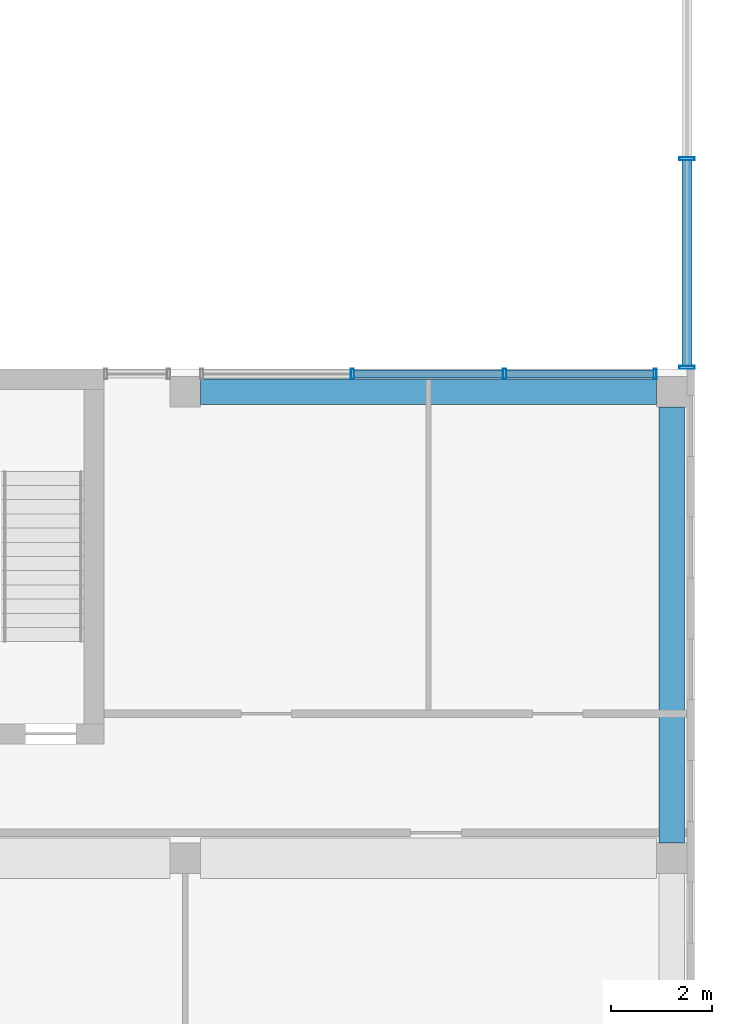
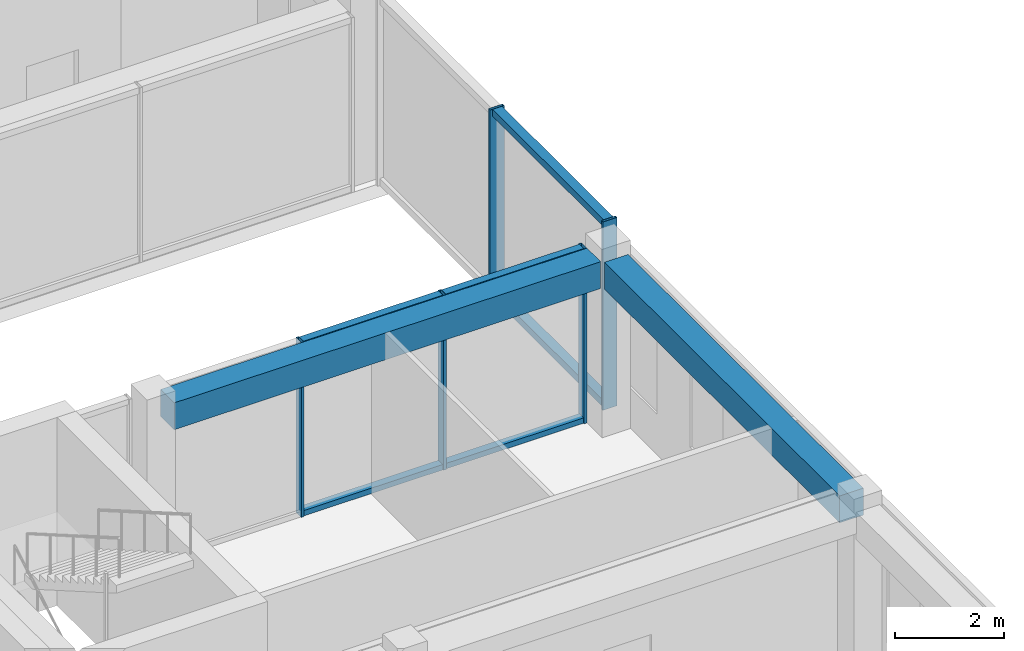
# One storey, part 12 of 28: 11 members, 2 beams, 2 elements without a shape of their own.
"""IFC4 building model written with IfcOpenShell, lengths in metres."""

from ifc_helpers import new_model, si_unit, direction, frame, origin, origin_2d, place, context, subcontext, project, spatial, rectangle, hollow_rectangle, extrude, material, layer, layer_set, material_profile, profile_set, type_object, element, aggregate, save


model = new_model("IFC4")

# Units and contexts
model_context = context("Model", 3, precision=1e-05, world=origin(), true_north=direction((0.0, 1.0)))
body_context = subcontext(model_context, "Body", "Model", "MODEL_VIEW")
ifc_project = project(units=[si_unit("LENGTHUNIT", "METRE"), si_unit("AREAUNIT", "SQUARE_METRE"), si_unit("VOLUMEUNIT", "CUBIC_METRE"), si_unit("PLANEANGLEUNIT", "RADIAN"), si_unit("MASSUNIT", "GRAM", prefix="KILO")], contexts=[model_context])

# Site, building, storey
site_placement = place(None, origin())
site = spatial("IfcSite", under=ifc_project, at=site_placement, CompositionType="ELEMENT")
building_placement = place(site_placement, origin())
building = spatial("IfcBuilding", under=site, at=building_placement, Name="Nzadi Deep Aquarium and Research Tower", CompositionType="ELEMENT")
storey_placement = place(building_placement, frame((0.0, 0.0, 73.89990234375)))
storey = spatial("IfcBuildingStorey", under=building, at=storey_placement, Name="L15", CompositionType="ELEMENT", Elevation=73.89990234375)

# Curtain wall, members
ifc_material_1 = material(Name="Aluminium unitised frame", Category="aluminium")
ifc_layer_1 = layer(ifc_material_1, 0.199951171875)
ifc_layer_set_1 = layer_set([ifc_layer_1], Name="Aluminium unitised frame")
curtain_wall_type_1 = type_object("IfcCurtainWallType", Name="Curtain wall Unitised 200", PredefinedType="NOTDEFINED", material=ifc_layer_set_1)
curtain_wall_1_placement = place(storey_placement, origin())
curtain_wall_1 = element("IfcCurtainWall", 1, at=curtain_wall_1_placement, inside=storey, type_object=curtain_wall_type_1, Name="Unitised curtain wall blade A north L15", PredefinedType="NOTDEFINED")
ifc_material_2 = material(Name="Aluminium unitised frame", Category="aluminium")
ifc_material_profile_1 = material_profile(ifc_material_2, hollow_rectangle(XDim=0.199951171875, YDim=0.06005859375, WallThickness=0.0048828125, at=origin_2d()))
ifc_profile_set_1 = profile_set([ifc_material_profile_1], Name="Aluminium unitised frame")
member_type_1 = type_object("IfcMemberType", Name="Mullion 60x200 Unitised", PredefinedType="MULLION", material=ifc_profile_set_1)
member_1_placement = place(storey_placement, frame((32.10009765625, 18.75, 0.0), z_axis=(0.0, 0.0, 1.0), x_axis=(0.0, 1.0, 0.0)))
member_1 = element("IfcMember", 2, at=member_1_placement, type_object=member_type_1, Name="CW074 mullion 2", PredefinedType="MULLION", context=body_context, shape_type="SweptSolid", body=[
    extrude(hollow_rectangle(XDim=0.199951171875, YDim=0.06005859375, WallThickness=0.0048828125, at=origin_2d()), origin(), (0.0, 0.0, 1.0), 3.900146484375),
])
member_2_placement = place(storey_placement, frame((35.10009765625, 18.75, 0.0), z_axis=(0.0, 0.0, 1.0), x_axis=(0.0, 1.0, 0.0)))
member_2 = element("IfcMember", 3, at=member_2_placement, type_object=member_type_1, Name="CW074 mullion 3", PredefinedType="MULLION", context=body_context, shape_type="SweptSolid", body=[
    extrude(hollow_rectangle(XDim=0.199951171875, YDim=0.06005859375, WallThickness=0.0048828125, at=origin_2d()), origin(), (0.0, 0.0, 1.0), 3.900146484375),
])
member_3_placement = place(storey_placement, frame((38.070068359375, 18.75, 0.0), z_axis=(0.0, 0.0, 1.0), x_axis=(0.0, 1.0, 0.0)))
member_3 = element("IfcMember", 4, at=member_3_placement, type_object=member_type_1, Name="CW074 mullion 4", PredefinedType="MULLION", context=body_context, shape_type="SweptSolid", body=[
    extrude(hollow_rectangle(XDim=0.199951171875, YDim=0.06005859375, WallThickness=0.0048828125, at=origin_2d()), origin(), (0.0, 0.0, 1.0), 3.900146484375),
])

ifc_material_3 = material(Name="Aluminium unitised frame wind post", Category="aluminium")
ifc_layer_2 = layer(ifc_material_3, 0.300048828125)
ifc_layer_set_2 = layer_set([ifc_layer_2], Name="Aluminium unitised frame wind post")
curtain_wall_type_2 = type_object("IfcCurtainWallType", Name="Curtain wall Slot End 300", PredefinedType="NOTDEFINED", material=ifc_layer_set_2)
curtain_wall_2_placement = place(storey_placement, origin())
curtain_wall_2 = element("IfcCurtainWall", 5, at=curtain_wall_2_placement, inside=storey, type_object=curtain_wall_type_2, Name="Glazed slot end east L15", PredefinedType="NOTDEFINED")
ifc_material_4 = material(Name="Aluminium unitised frame wind post", Category="aluminium")
ifc_material_profile_2 = material_profile(ifc_material_4, hollow_rectangle(XDim=0.300048828125, YDim=0.06005859375, WallThickness=0.0048828125, at=origin_2d()))
ifc_profile_set_2 = profile_set([ifc_material_profile_2], Name="Aluminium unitised frame wind post")
member_type_2 = type_object("IfcMemberType", Name="Mullion 60x300 Slot End", PredefinedType="MULLION", material=ifc_profile_set_2)
member_4_placement = place(storey_placement, frame((38.699951171875, 18.8798828125, 0.0), z_axis=(0.0, 0.0, 1.0), x_axis=(-1.0, 0.0, 0.0)))
member_4 = element("IfcMember", 6, at=member_4_placement, type_object=member_type_2, Name="CW222 mullion 1", PredefinedType="MULLION", context=body_context, shape_type="SweptSolid", body=[
    extrude(hollow_rectangle(XDim=0.300048828125, YDim=0.06005859375, WallThickness=0.0048828125, at=origin_2d()), origin(), (0.0, 0.0, 1.0), 4.2001953125),
])
member_5_placement = place(storey_placement, frame((38.699951171875, 23.0, 0.0), z_axis=(0.0, 0.0, 1.0), x_axis=(-1.0, 0.0, 0.0)))
member_5 = element("IfcMember", 7, at=member_5_placement, type_object=member_type_2, Name="CW222 mullion 2", PredefinedType="MULLION", context=body_context, shape_type="SweptSolid", body=[
    extrude(hollow_rectangle(XDim=0.300048828125, YDim=0.06005859375, WallThickness=0.0048828125, at=origin_2d()), origin(), (0.0, 0.0, 1.0), 4.2001953125),
])

# Beams
ifc_material_5 = material(Name="Concrete C35/45", Category="concrete")
ifc_material_profile_3 = material_profile(ifc_material_5, rectangle(XDim=0.5, YDim=0.60009765625, at=origin_2d()))
ifc_profile_set_3 = profile_set([ifc_material_profile_3], Name="Concrete C35/45")
beam_type = type_object("IfcBeamType", Name="RC 500x600", PredefinedType="BEAM", material=ifc_profile_set_3)
beam_1_placement = place(storey_placement, frame((29.10009765625, 18.39990234375, 3.60009765625), z_axis=(1.0, 0.0, 0.0), x_axis=(0.0, 1.0, 0.0)))
element("IfcBeam", 8, at=beam_1_placement, inside=storey, type_object=beam_type, Name="B-Z1-L15-L3-4", PredefinedType="BEAM", context=body_context, shape_type="SweptSolid", body=[
    extrude(rectangle(XDim=0.5, YDim=0.60009765625, at=origin_2d()), origin(), (0.0, 0.0, 1.0), 9.0),
])
beam_2_placement = place(storey_placement, frame((38.39990234375, 9.5, 3.60009765625), z_axis=(0.0, 1.0, 0.0), x_axis=(-1.0, 0.0, 0.0)))
element("IfcBeam", 9, at=beam_2_placement, inside=storey, type_object=beam_type, Name="B-Z1-L15-CE-2-1", PredefinedType="BEAM", context=body_context, shape_type="SweptSolid", body=[
    extrude(rectangle(XDim=0.5, YDim=0.60009765625, at=origin_2d()), origin(), (0.0, 0.0, 1.0), 8.60009765625),
])

# Member
ifc_material_6 = material(Name="Aluminium unitised frame", Category="aluminium")
ifc_material_profile_4 = material_profile(ifc_material_6, hollow_rectangle(XDim=0.159912109375, YDim=0.1201171875, WallThickness=0.0048828125, at=origin_2d()))
ifc_profile_set_4 = profile_set([ifc_material_profile_4], Name="Aluminium unitised frame")
member_type_3 = type_object("IfcMemberType", Name="Transom 120x160 Unitised", PredefinedType="MULLION", material=ifc_profile_set_4)
member_6_placement = place(storey_placement, frame((32.1298828125, 18.75, 0.06005859375), z_axis=(1.0, 0.0, 0.0), x_axis=(0.0, 1.0, 0.0)))
member_6 = element("IfcMember", 10, at=member_6_placement, type_object=member_type_3, Name="CW074 transom 2.1", PredefinedType="MULLION", context=body_context, shape_type="SweptSolid", body=[
    extrude(hollow_rectangle(XDim=0.159912109375, YDim=0.1201171875, WallThickness=0.0048828125, at=origin_2d()), origin(), (0.0, 0.0, 1.0), 2.940185546875),
])

member_7_placement = place(storey_placement, frame((32.1298828125, 18.75, 3.840087890625), z_axis=(1.0, 0.0, 0.0), x_axis=(0.0, 1.0, 0.0)))
member_7 = element("IfcMember", 11, at=member_7_placement, type_object=member_type_3, Name="CW074 transom 2.2", PredefinedType="MULLION", context=body_context, shape_type="SweptSolid", body=[
    extrude(hollow_rectangle(XDim=0.159912109375, YDim=0.1201171875, WallThickness=0.0048828125, at=origin_2d()), origin(), (0.0, 0.0, 1.0), 2.940185546875),
])

member_8_placement = place(storey_placement, frame((35.1298828125, 18.75, 0.06005859375), z_axis=(1.0, 0.0, 0.0), x_axis=(0.0, 1.0, 0.0)))
member_8 = element("IfcMember", 12, at=member_8_placement, type_object=member_type_3, Name="CW074 transom 3.1", PredefinedType="MULLION", context=body_context, shape_type="SweptSolid", body=[
    extrude(hollow_rectangle(XDim=0.159912109375, YDim=0.1201171875, WallThickness=0.0048828125, at=origin_2d()), origin(), (0.0, 0.0, 1.0), 2.91015625),
])

member_9_placement = place(storey_placement, frame((35.1298828125, 18.75, 3.840087890625), z_axis=(1.0, 0.0, 0.0), x_axis=(0.0, 1.0, 0.0)))
member_9 = element("IfcMember", 13, at=member_9_placement, type_object=member_type_3, Name="CW074 transom 3.2", PredefinedType="MULLION", context=body_context, shape_type="SweptSolid", body=[
    extrude(hollow_rectangle(XDim=0.159912109375, YDim=0.1201171875, WallThickness=0.0048828125, at=origin_2d()), origin(), (0.0, 0.0, 1.0), 2.91015625),
])

aggregate(curtain_wall_1, [member_1, member_2, member_3, member_6, member_7, member_8, member_9])

ifc_material_7 = material(Name="Aluminium unitised frame wind post", Category="aluminium")
ifc_material_profile_5 = material_profile(ifc_material_7, hollow_rectangle(XDim=0.199951171875, YDim=0.159912109375, WallThickness=0.0048828125, at=origin_2d()))
ifc_profile_set_5 = profile_set([ifc_material_profile_5], Name="Aluminium unitised frame wind post")
member_type_4 = type_object("IfcMemberType", Name="Transom 160x200 Slot End", PredefinedType="MULLION", material=ifc_profile_set_5)
member_10_placement = place(storey_placement, frame((38.699951171875, 18.909912109375, 0.080078125), z_axis=(0.0, 1.0, 0.0), x_axis=(-1.0, 0.0, 0.0)))
member_10 = element("IfcMember", 14, at=member_10_placement, type_object=member_type_4, Name="CW222 transom 1.1", PredefinedType="MULLION", context=body_context, shape_type="SweptSolid", body=[
    extrude(hollow_rectangle(XDim=0.199951171875, YDim=0.159912109375, WallThickness=0.0048828125, at=origin_2d()), origin(), (0.0, 0.0, 1.0), 4.06005859375),
])

member_11_placement = place(storey_placement, frame((38.699951171875, 18.909912109375, 4.1201171875), z_axis=(0.0, 1.0, 0.0), x_axis=(-1.0, 0.0, 0.0)))
member_11 = element("IfcMember", 15, at=member_11_placement, type_object=member_type_4, Name="CW222 transom 1.2", PredefinedType="MULLION", context=body_context, shape_type="SweptSolid", body=[
    extrude(hollow_rectangle(XDim=0.199951171875, YDim=0.159912109375, WallThickness=0.0048828125, at=origin_2d()), origin(), (0.0, 0.0, 1.0), 4.06005859375),
])

aggregate(curtain_wall_2, [member_4, member_5, member_10, member_11])

save(model, "model.ifc")
